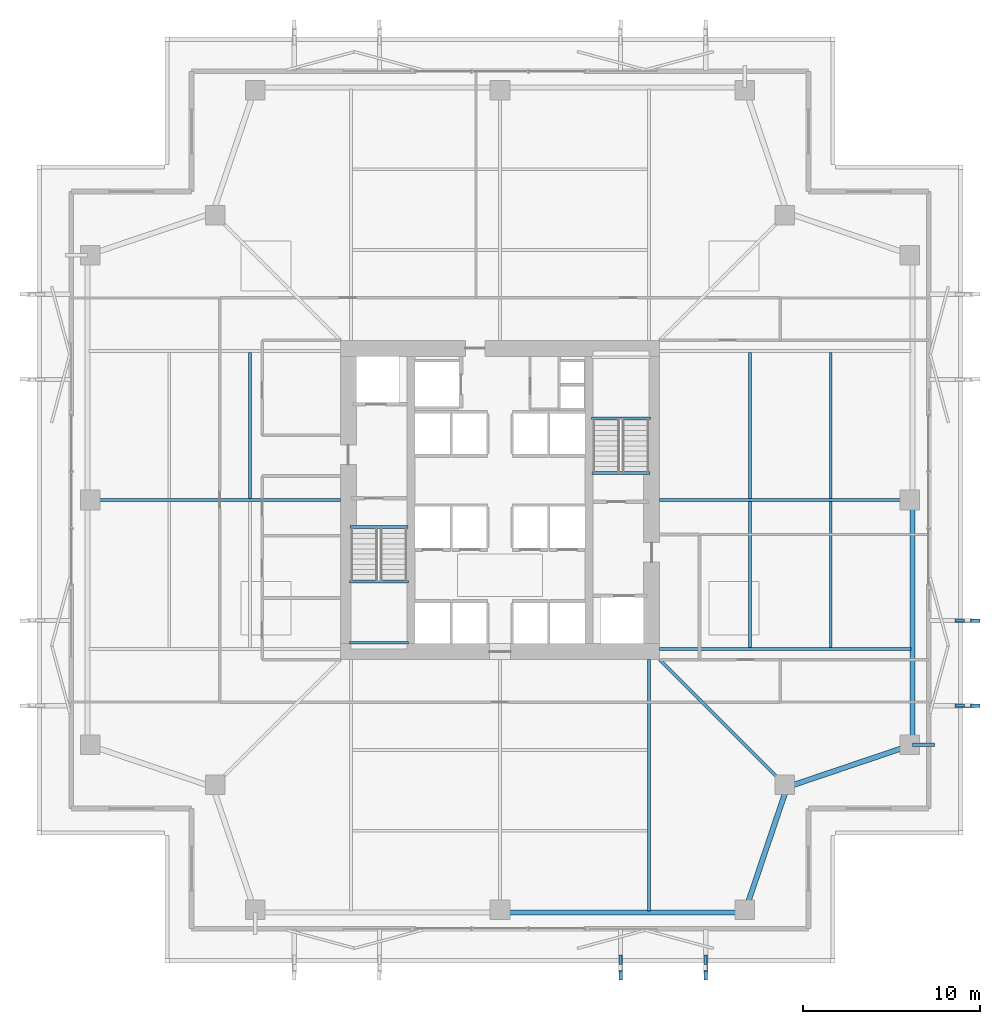
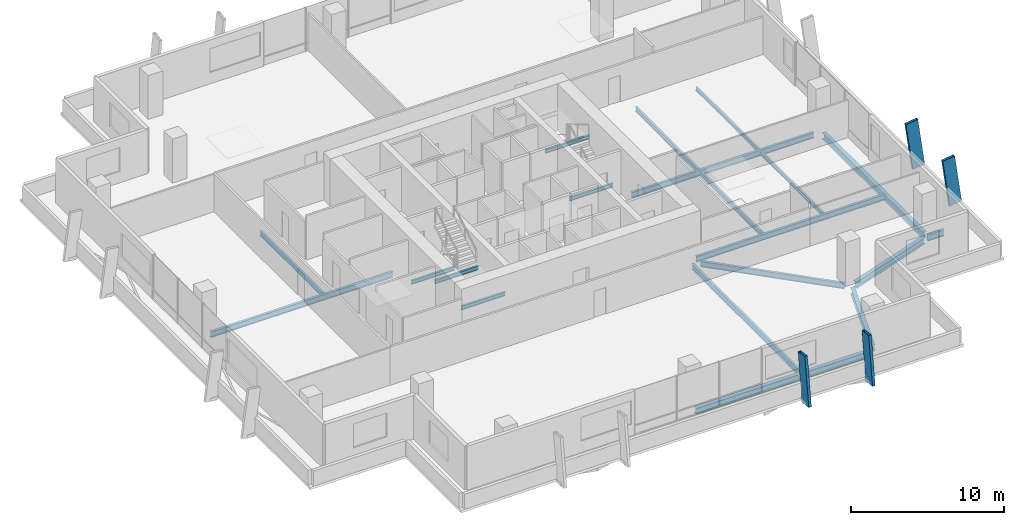
# One storey, part 7 of 16: 20 beams, 4 members.
"""IFC4 building model written with IfcOpenShell, lengths in metres."""

from ifc_helpers import new_model, si_unit, direction, frame, origin, origin_2d, place, context, subcontext, project, spatial, hollow_rectangle, i_section, extrude, material, material_profile, profile_set, type_object, element, save


model = new_model("IFC4")

# Units and contexts
model_context = context("Model", 3, precision=1e-05, world=origin(), true_north=direction((0.0, 1.0)))
body_context = subcontext(model_context, "Body", "Model", "MODEL_VIEW")
ifc_project = project(units=[si_unit("LENGTHUNIT", "METRE"), si_unit("AREAUNIT", "SQUARE_METRE"), si_unit("VOLUMEUNIT", "CUBIC_METRE"), si_unit("PLANEANGLEUNIT", "RADIAN"), si_unit("MASSUNIT", "GRAM", prefix="KILO")], contexts=[model_context])

# Site, building, storey
site_placement = place(None, origin())
site = spatial("IfcSite", under=ifc_project, at=site_placement, CompositionType="ELEMENT")
building_placement = place(site_placement, origin())
building = spatial("IfcBuilding", under=site, at=building_placement, Name="Belovzor Exchange Tower", CompositionType="ELEMENT")
storey_placement = place(building_placement, frame((0.0, 0.0, 138.300048828125)))
storey = spatial("IfcBuildingStorey", under=building, at=storey_placement, Name="L33", CompositionType="ELEMENT", Elevation=138.300048828125)

# Beams
ifc_material_1 = material(Name="Steel S355", Category="steel")
ifc_material_profile_1 = material_profile(ifc_material_1, i_section(OverallWidth=0.199951171875, OverallDepth=0.5, WebThickness=0.01025390625, FlangeThickness=0.01611328125, at=origin_2d()))
ifc_profile_set_1 = profile_set([ifc_material_profile_1], Name="Steel S355")
beam_type_1 = type_object("IfcBeamType", Name="Planted Balcony Cantilever Beam IPE 500", PredefinedType="BEAM", material=ifc_profile_set_1)
beam_1_placement = place(storey_placement, frame((52.068115234375, 15.0, -0.505126953125), z_axis=(1.0, 0.0, 0.0), x_axis=(0.0, 1.0, 0.0)))
element("IfcBeam", 1, at=beam_1_placement, inside=storey, type_object=beam_type_1, Name="BC-500 Planted Balcony Cantilever Beam IPE 500", PredefinedType="BEAM", context=body_context, shape_type="SweptSolid", body=[
    extrude(i_section(OverallWidth=0.199951171875, OverallDepth=0.5, WebThickness=0.01025390625, FlangeThickness=0.01611328125, at=origin_2d()), origin(), (0.0, 0.0, 1.0), 1.23193359375),
])
ifc_material_2 = material(Name="Steel S355", Category="steel")
ifc_material_profile_2 = material_profile(ifc_material_2, i_section(OverallWidth=0.169921875, OverallDepth=0.360107421875, WebThickness=0.008056640625, FlangeThickness=0.0126953125, at=origin_2d()))
ifc_profile_set_2 = profile_set([ifc_material_profile_2], Name="Steel S355")
beam_type_2 = type_object("IfcBeamType", Name="Secondary Infill Floor Joist IPE 360", PredefinedType="BEAM", material=ifc_profile_set_2)
for number, where, z_axis, x_axis, name in (
    (2, (14.69091796875, 28.89501953125, -0.43505859375), (0.0, 1.0, 0.0), (-1.0, 0.0, 0.0), "FJ-360 Secondary Infill Floor Joist IPE 360"),
    (3, (42.908935546875, 20.4951171875, -0.43505859375), (0.0, 1.0, 0.0), (-1.0, 0.0, 0.0), "FJ-360 Secondary Infill Floor Joist IPE 360"),
    (4, (42.908935546875, 28.89501953125, -0.43505859375), (0.0, 1.0, 0.0), (-1.0, 0.0, 0.0), "FJ-360 Secondary Infill Floor Joist IPE 360"),
):
    element("IfcBeam", number, at=place(storey_placement, frame(where, z_axis=z_axis, x_axis=x_axis)), inside=storey, type_object=beam_type_2, Name=name, PredefinedType="BEAM", context=body_context, shape_type="SweptSolid", body=[
        extrude(i_section(OverallWidth=0.169921875, OverallDepth=0.360107421875, WebThickness=0.008056640625, FlangeThickness=0.0126953125, at=origin_2d()), origin(), (0.0, 0.0, 1.0), 8.2099609375),
    ])
ifc_material_3 = material(Name="Steel S355", Category="steel")
ifc_material_profile_3 = material_profile(ifc_material_3, i_section(OverallWidth=0.14990234375, OverallDepth=0.300048828125, WebThickness=0.007080078125, FlangeThickness=0.0107421875, at=origin_2d()))
ifc_profile_set_3 = profile_set([ifc_material_profile_3], Name="Steel S355")
beam_type_3 = type_object("IfcBeamType", Name="Secondary Trim Floor Joist IPE 300", PredefinedType="BEAM", material=ifc_profile_set_3)
for number, where, z_axis, x_axis, name in (
    (5, (20.320068359375, 24.179931640625, 1.52490234375), (1.0, 0.0, 0.0), (0.0, 1.0, 0.0), "FJ-300 Secondary Trim Floor Joist IPE 300"),
    (6, (20.320068359375, 20.75, 1.52490234375), (1.0, 0.0, 0.0), (0.0, 1.0, 0.0), "FJ-300 Secondary Trim Floor Joist IPE 300"),
):
    element("IfcBeam", number, at=place(storey_placement, frame(where, z_axis=z_axis, x_axis=x_axis)), inside=storey, type_object=beam_type_3, Name=name, PredefinedType="BEAM", context=body_context, shape_type="SweptSolid", body=[
        extrude(i_section(OverallWidth=0.14990234375, OverallDepth=0.300048828125, WebThickness=0.007080078125, FlangeThickness=0.0107421875, at=origin_2d()), origin(), (0.0, 0.0, 1.0), 3.309814453125),
    ])
beam_2_placement = place(storey_placement, frame((20.340087890625, 27.280029296875, -0.405029296875), z_axis=(1.0, 0.0, 0.0), x_axis=(0.0, 1.0, 0.0)))
element("IfcBeam", 7, at=beam_2_placement, inside=storey, type_object=beam_type_3, Name="FJ-300 Secondary Trim Floor Joist IPE 300", PredefinedType="BEAM", context=body_context, shape_type="SweptSolid", body=[
    extrude(i_section(OverallWidth=0.14990234375, OverallDepth=0.300048828125, WebThickness=0.007080078125, FlangeThickness=0.0107421875, at=origin_2d()), origin(), (0.0, 0.0, 1.0), 3.27001953125),
])
beam_3_placement = place(storey_placement, frame((37.280029296875, 33.419921875, 1.52490234375), z_axis=(-1.0, 0.0, 0.0), x_axis=(0.0, -1.0, 0.0)))
element("IfcBeam", 8, at=beam_3_placement, inside=storey, type_object=beam_type_3, Name="FJ-300 Secondary Trim Floor Joist IPE 300", PredefinedType="BEAM", context=body_context, shape_type="SweptSolid", body=[
    extrude(i_section(OverallWidth=0.14990234375, OverallDepth=0.300048828125, WebThickness=0.007080078125, FlangeThickness=0.0107421875, at=origin_2d()), origin(), (0.0, 0.0, 1.0), 3.31005859375),
])
beam_4_placement = place(storey_placement, frame((37.260009765625, 30.320068359375, -0.405029296875), z_axis=(-1.0, 0.0, 0.0), x_axis=(0.0, -1.0, 0.0)))
element("IfcBeam", 9, at=beam_4_placement, inside=storey, type_object=beam_type_3, Name="FJ-300 Secondary Trim Floor Joist IPE 300", PredefinedType="BEAM", context=body_context, shape_type="SweptSolid", body=[
    extrude(i_section(OverallWidth=0.14990234375, OverallDepth=0.300048828125, WebThickness=0.007080078125, FlangeThickness=0.0107421875, at=origin_2d()), origin(), (0.0, 0.0, 1.0), 3.27001953125),
])
for number, where, z_axis, x_axis, name in (
    (10, (47.450927734375, 20.4951171875, -0.405029296875), (0.0, 1.0, 0.0), (-1.0, 0.0, 0.0), "FJ-300 Secondary Trim Floor Joist IPE 300"),
    (11, (47.450927734375, 28.89501953125, -0.405029296875), (0.0, 1.0, 0.0), (-1.0, 0.0, 0.0), "FJ-300 Secondary Trim Floor Joist IPE 300"),
):
    element("IfcBeam", number, at=place(storey_placement, frame(where, z_axis=z_axis, x_axis=x_axis)), inside=storey, type_object=beam_type_3, Name=name, PredefinedType="BEAM", context=body_context, shape_type="SweptSolid", body=[
        extrude(i_section(OverallWidth=0.14990234375, OverallDepth=0.300048828125, WebThickness=0.007080078125, FlangeThickness=0.0107421875, at=origin_2d()), origin(), (0.0, 0.0, 1.0), 8.2099609375),
    ])

# Members
ifc_material_4 = material(Name="Extruded Architectural Terracotta on Steel S355 Carrier", Category="masonry")
ifc_material_profile_4 = material_profile(ifc_material_4, hollow_rectangle(XDim=0.199951171875, YDim=0.89990234375, WallThickness=0.011962890625, at=origin_2d()))
ifc_profile_set_4 = profile_set([ifc_material_profile_4], Name="Extruded Architectural Terracotta on Steel S355 Carrier")
member_type = type_object("IfcMemberType", Name="Sweeping Terracotta Baguette Fin Assembly 1250", PredefinedType="USERDEFINED", material=ifc_profile_set_4)
for number, where, z_axis, x_axis, name in (
    (12, (55.425048828125, 17.199951171875, -0.255126953125), (-0.136851262382, 0.0, 0.990591607063), (0.0, -1.0, 0.0), "FIN-TC125 Terracotta Facade Fin L33 E1"),
    (13, (55.425048828125, 22.0, -0.255126953125), (-0.136851262382, 0.0, 0.990591607063), (0.0, -1.0, 0.0), "FIN-TC125 Terracotta Facade Fin L33 E2"),
    (14, (35.60009765625, 2.175048828125, -0.255126953125), (0.0, 0.136851262382, 0.990591607063), (-1.0, 0.0, 0.0), "FIN-TC125 Terracotta Facade Fin L33 S3"),
    (15, (40.39990234375, 2.175048828125, -0.255126953125), (0.0, 0.136851262382, 0.990591607063), (-1.0, 0.0, 0.0), "FIN-TC125 Terracotta Facade Fin L33 S4"),
):
    element("IfcMember", number, at=place(storey_placement, frame(where, z_axis=z_axis, x_axis=x_axis)), inside=storey, type_object=member_type, Name=name, ObjectType="FIN", PredefinedType="USERDEFINED", context=body_context, shape_type="SweptSolid", body=[
        extrude(hollow_rectangle(XDim=0.199951171875, YDim=0.89990234375, WallThickness=0.011962890625, at=origin_2d()), origin(), (0.0, 0.0, 1.0), 3.78564453125),
    ])

# Beams
ifc_material_5 = material(Name="Steel S355", Category="steel")
ifc_material_profile_5 = material_profile(ifc_material_5, i_section(OverallWidth=0.18994140625, OverallDepth=0.449951171875, WebThickness=0.009521484375, FlangeThickness=0.0146484375, at=origin_2d()))
ifc_profile_set_5 = profile_set([ifc_material_profile_5], Name="Steel S355")
beam_type_4 = type_object("IfcBeamType", Name="Zone 2-4 Radial Composite Floor Beam IPE 450", PredefinedType="BEAM", material=ifc_profile_set_5)
beam_5_placement = place(storey_placement, frame((37.199951171875, 19.800048828125, -0.47998046875), z_axis=(0.0, -1.0, 0.0), x_axis=(1.0, 0.0, 0.0)))
element("IfcBeam", 16, at=beam_5_placement, inside=storey, type_object=beam_type_4, Name="FB-450 Zone 2-4 Radial Composite Floor Beam IPE 450", PredefinedType="BEAM", context=body_context, shape_type="SweptSolid", body=[
    extrude(i_section(OverallWidth=0.18994140625, OverallDepth=0.449951171875, WebThickness=0.009521484375, FlangeThickness=0.0146484375, at=origin_2d()), origin(), (0.0, 0.0, 1.0), 14.193115234375),
])
beam_6_placement = place(storey_placement, frame((19.800048828125, 28.800048828125, -0.47998046875), z_axis=(-1.0, 0.0, 0.0), x_axis=(0.0, -1.0, 0.0)))
element("IfcBeam", 17, at=beam_6_placement, inside=storey, type_object=beam_type_4, Name="FB-450 Zone 2-4 Radial Composite Floor Beam IPE 450", PredefinedType="BEAM", context=body_context, shape_type="SweptSolid", body=[
    extrude(i_section(OverallWidth=0.18994140625, OverallDepth=0.449951171875, WebThickness=0.009521484375, FlangeThickness=0.0146484375, at=origin_2d()), origin(), (0.0, 0.0, 1.0), 13.68798828125),
])
beam_7_placement = place(storey_placement, frame((37.800048828125, 20.39990234375, -0.47998046875), z_axis=(1.0, 0.0, 0.0), x_axis=(0.0, 1.0, 0.0)))
element("IfcBeam", 18, at=beam_7_placement, inside=storey, type_object=beam_type_4, Name="FB-450 Zone 2-4 Radial Composite Floor Beam IPE 450", PredefinedType="BEAM", context=body_context, shape_type="SweptSolid", body=[
    extrude(i_section(OverallWidth=0.18994140625, OverallDepth=0.449951171875, WebThickness=0.009521484375, FlangeThickness=0.0146484375, at=origin_2d()), origin(), (0.0, 0.0, 1.0), 14.19287109375),
])
beam_8_placement = place(storey_placement, frame((37.800048828125, 28.800048828125, -0.47998046875), z_axis=(1.0, 0.0, 0.0), x_axis=(0.0, 1.0, 0.0)))
element("IfcBeam", 19, at=beam_8_placement, inside=storey, type_object=beam_type_4, Name="FB-450 Zone 2-4 Radial Composite Floor Beam IPE 450", PredefinedType="BEAM", context=body_context, shape_type="SweptSolid", body=[
    extrude(i_section(OverallWidth=0.18994140625, OverallDepth=0.449951171875, WebThickness=0.009521484375, FlangeThickness=0.0146484375, at=origin_2d()), origin(), (0.0, 0.0, 1.0), 13.68798828125),
])
beam_9_placement = place(storey_placement, frame((37.800048828125, 19.800048828125, -0.47998046875), z_axis=(0.707106781187, -0.707106781187, 0.0), x_axis=(0.707106781187, 0.707106781187, 0.0)))
element("IfcBeam", 20, at=beam_9_placement, inside=storey, type_object=beam_type_4, Name="FB-450 Zone 2-4 Radial Composite Floor Beam IPE 450", PredefinedType="BEAM", context=body_context, shape_type="SweptSolid", body=[
    extrude(i_section(OverallWidth=0.18994140625, OverallDepth=0.449951171875, WebThickness=0.009521484375, FlangeThickness=0.0146484375, at=origin_2d()), origin(), (0.0, 0.0, 1.0), 9.70849609375),
])
ifc_material_6 = material(Name="Steel S355", Category="steel")
ifc_material_profile_6 = material_profile(ifc_material_6, i_section(OverallWidth=0.300048828125, OverallDepth=0.5, WebThickness=0.014404296875, FlangeThickness=0.028076171875, at=origin_2d()))
ifc_profile_set_6 = profile_set([ifc_material_profile_6], Name="Steel S355")
beam_type_5 = type_object("IfcBeamType", Name="Zone 3 Waist Primary Girder HEB 500", PredefinedType="BEAM", material=ifc_profile_set_6)
beam_10_placement = place(storey_placement, frame((29.157958984375, 5.531982421875, -0.505126953125), z_axis=(1.0, 0.0, 0.0), x_axis=(0.0, 1.0, 0.0)))
element("IfcBeam", 21, at=beam_10_placement, inside=storey, type_object=beam_type_5, Name="FG-Z3 Zone 3 Waist Primary Girder HEB 500", PredefinedType="BEAM", context=body_context, shape_type="SweptSolid", body=[
    extrude(i_section(OverallWidth=0.300048828125, OverallDepth=0.5, WebThickness=0.014404296875, FlangeThickness=0.028076171875, at=origin_2d()), origin(), (0.0, 0.0, 1.0), 13.083984375),
])
for number, where, z_axis, x_axis, name in (
    (22, (42.714111328125, 5.87109375, -0.505126953125), (0.320030896721, 0.94740710634, 0.0), (-0.94740710634, 0.320030896721, 0.0), "FG-Z3 Zone 3 Waist Primary Girder HEB 500"),
    (23, (45.3291015625, 12.72412109375, -0.505126953125), (0.94740710634, 0.320030896721, 0.0), (-0.320030896721, 0.94740710634, 0.0), "FG-Z3 Zone 3 Waist Primary Girder HEB 500"),
):
    element("IfcBeam", number, at=place(storey_placement, frame(where, z_axis=z_axis, x_axis=x_axis)), inside=storey, type_object=beam_type_5, Name=name, PredefinedType="BEAM", context=body_context, shape_type="SweptSolid", body=[
        extrude(i_section(OverallWidth=0.300048828125, OverallDepth=0.5, WebThickness=0.014404296875, FlangeThickness=0.028076171875, at=origin_2d()), origin(), (0.0, 0.0, 1.0), 6.755126953125),
    ])
beam_11_placement = place(storey_placement, frame((52.068115234375, 15.35693359375, -0.505126953125), z_axis=(0.0, 1.0, 0.0), x_axis=(-1.0, 0.0, 0.0)))
element("IfcBeam", 24, at=beam_11_placement, inside=storey, type_object=beam_type_5, Name="FG-Z3 Zone 3 Waist Primary Girder HEB 500", PredefinedType="BEAM", context=body_context, shape_type="SweptSolid", body=[
    extrude(i_section(OverallWidth=0.300048828125, OverallDepth=0.5, WebThickness=0.014404296875, FlangeThickness=0.028076171875, at=origin_2d()), origin(), (0.0, 0.0, 1.0), 13.0849609375),
])

save(model, "model.ifc")
